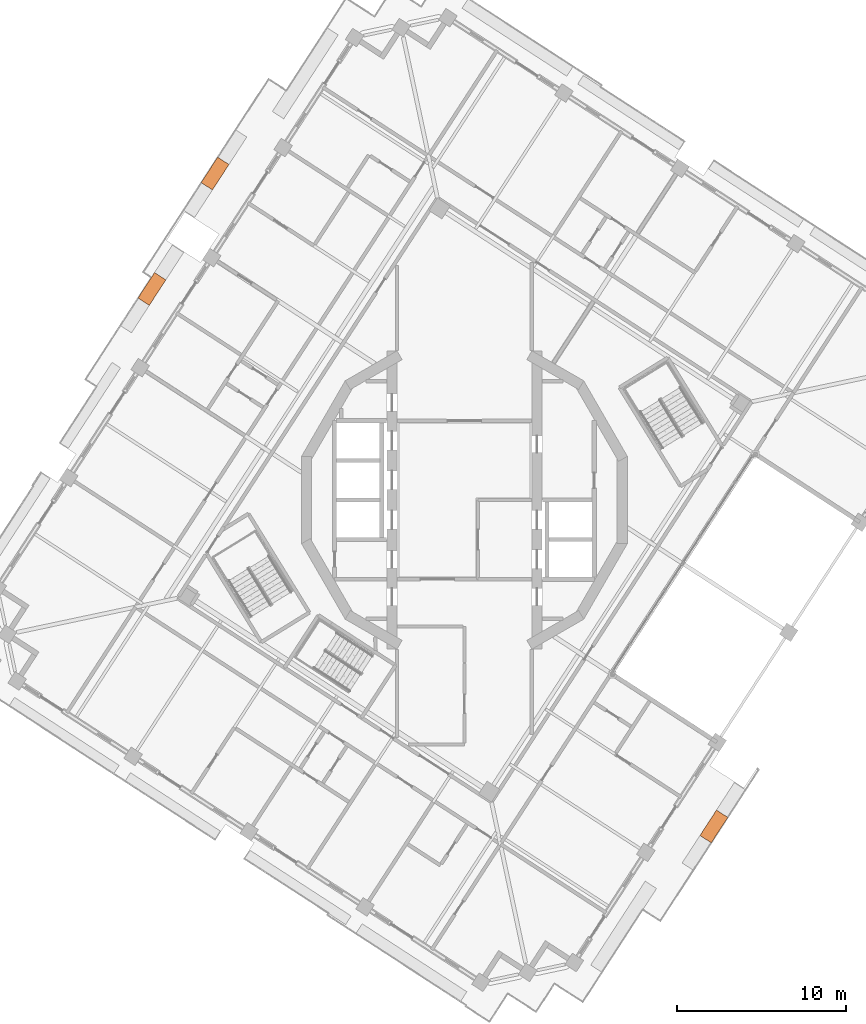
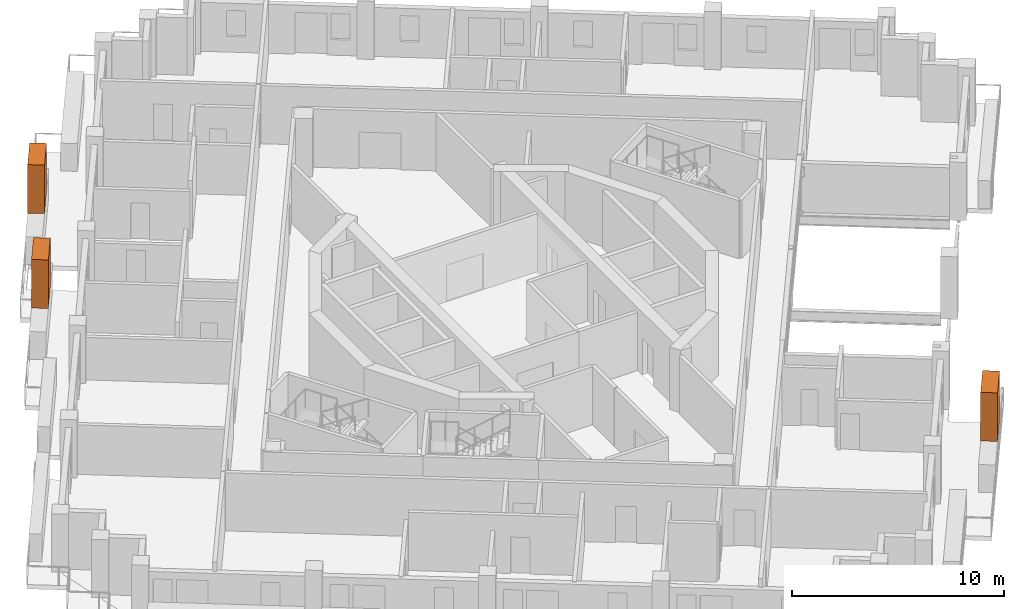
# One storey, part 17 of 17: 3 proxies.
"""IFC4 building model written with IfcOpenShell, lengths in metres."""

from ifc_helpers import new_model, si_unit, direction, frame, origin, origin_2d, place, context, subcontext, project, spatial, rectangle, extrude, element, save


model = new_model("IFC4")

# Units and contexts
model_context = context("Model", 3, precision=1e-05, world=origin(), true_north=direction((0.0, 1.0)))
body_context = subcontext(model_context, "Body", "Model", "MODEL_VIEW")
ifc_project = project(units=[si_unit("LENGTHUNIT", "METRE"), si_unit("AREAUNIT", "SQUARE_METRE"), si_unit("VOLUMEUNIT", "CUBIC_METRE"), si_unit("PLANEANGLEUNIT", "RADIAN"), si_unit("MASSUNIT", "GRAM", prefix="KILO")], contexts=[model_context])

# Site, building, storey
site_placement = place(None, origin())
site = spatial("IfcSite", under=ifc_project, at=site_placement, CompositionType="ELEMENT")
building_placement = place(site_placement, origin())
building = spatial("IfcBuilding", under=site, at=building_placement, Name="Cantera Rosa Tower", CompositionType="ELEMENT")
storey_placement = place(building_placement, frame((0.0, 0.0, 264.89990234375)))
storey = spatial("IfcBuildingStorey", under=building, at=storey_placement, Name="L59", CompositionType="ELEMENT", Elevation=264.89990234375)

# Proxies
for number, where, z_axis, x_axis, name in (
    (1, (-14.790771484375, 19.35888671875, 1.60009765625), (0.0, 0.0, 1.0), (-0.544639035015, -0.838670567945, 0.0), "TREE L59-06"),
    (2, (-18.53564453125, 12.51416015625, 1.60009765625), (0.0, 0.0, 1.0), (-0.544639035015, -0.838670567945, 0.0), "TREE L59-07"),
    (3, (14.790771484375, -19.35888671875, 1.60009765625), (0.0, 0.0, 1.0), (0.544639035015, 0.838670567945, 0.0), "TREE L59-15"),
):
    element("IfcBuildingElementProxy", number, at=place(storey_placement, frame(where, z_axis=z_axis, x_axis=x_axis)), inside=storey, Name=name, ObjectType="TREE", PredefinedType="USERDEFINED", context=body_context, shape_type="SweptSolid", body=[
        extrude(rectangle(XDim=1.800048828125, YDim=0.800048828125, at=origin_2d()), origin(), (0.0, 0.0, 1.0), 2.800048828125),
    ])

save(model, "model.ifc")
